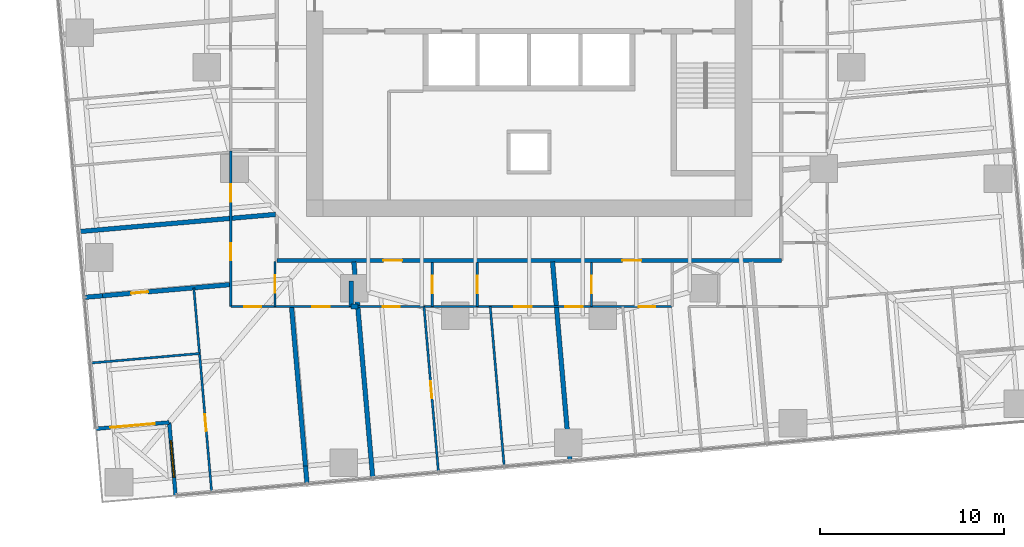
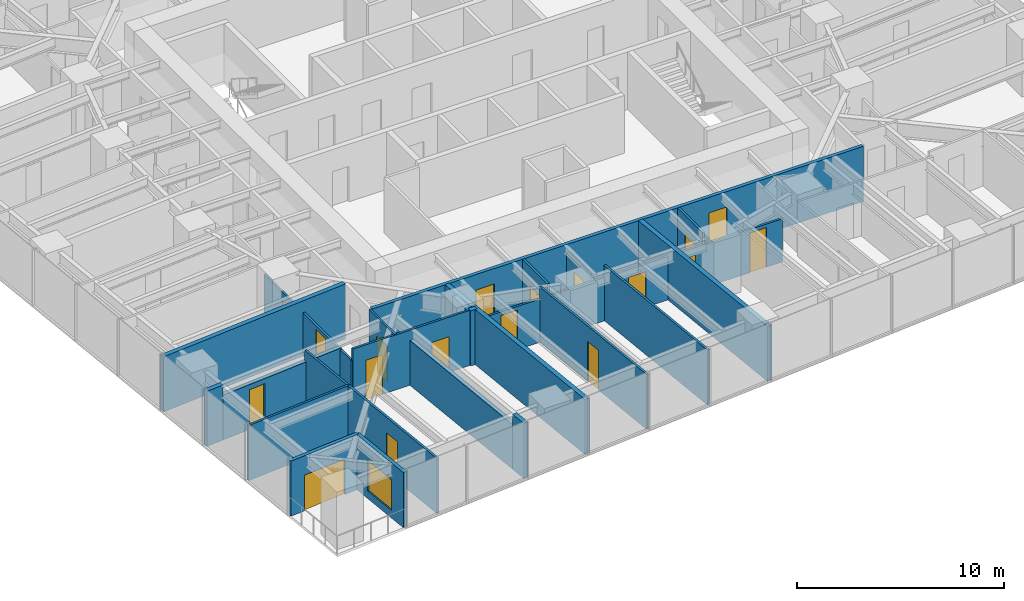
# One storey, part 8 of 14: 23 walls, 18 doors, 1 window, 19 openings.
"""IFC4 building model written with IfcOpenShell, lengths in metres."""

from ifc_helpers import new_model, si_unit, direction, frame, frame_2d, origin, place, context, subcontext, project, spatial, rectangle, extrude, material, layer, layer_set, type_object, element, fill, save


model = new_model("IFC4")

# Units and contexts
model_context = context("Model", 3, precision=1e-05, world=origin(), true_north=direction((0.0, 1.0)))
body_context = subcontext(model_context, "Body", "Model", "MODEL_VIEW")
ifc_project = project(units=[si_unit("LENGTHUNIT", "METRE"), si_unit("AREAUNIT", "SQUARE_METRE"), si_unit("VOLUMEUNIT", "CUBIC_METRE"), si_unit("PLANEANGLEUNIT", "RADIAN"), si_unit("MASSUNIT", "GRAM", prefix="KILO")], contexts=[model_context])

# Site, building, storey
site_placement = place(None, origin())
site = spatial("IfcSite", under=ifc_project, at=site_placement, CompositionType="ELEMENT")
building_placement = place(site_placement, origin())
building = spatial("IfcBuilding", under=site, at=building_placement, Name="Torsade Residences", CompositionType="ELEMENT")
storey_placement = place(building_placement, frame((0.0, 0.0, 60.800048828125)))
storey = spatial("IfcBuildingStorey", under=building, at=storey_placement, Name="L16", CompositionType="ELEMENT", Elevation=60.800048828125)

# Wall, openings, doors
ifc_material_1 = material(Name="Plasterboard on steel stud", Category="steel")
ifc_layer_1 = layer(ifc_material_1, 0.199951171875)
ifc_layer_set_1 = layer_set([ifc_layer_1], Name="Plasterboard on steel stud")
wall_type_1 = type_object("IfcWallType", Name="CORRIDOR WALL 200", PredefinedType="PARTITIONING", material=ifc_layer_set_1)
wall_1_placement = place(storey_placement, frame((26.300048828125, 15.5, 0.0), z_axis=(0.0, 0.0, 1.0), x_axis=(1.0, 0.0, 0.0)))
wall_1 = element("IfcWall", 1, at=wall_1_placement, inside=storey, type_object=wall_type_1, Name="Corridor wall L16", PredefinedType="PARTITIONING", context=body_context, shape_type="SweptSolid", body=[
    extrude(rectangle(XDim=27.39990234375, YDim=0.199951171875, at=frame_2d((13.699951171875, 0.0))), origin(), (0.0, 0.0, 1.0), 3.25),
])
opening_1_placement = place(wall_1_placement, frame((18.775634765625, 0.0, 0.0)))
opening_1 = element("IfcOpeningElement", 2, at=opening_1_placement, cuts=wall_1, Name="Opening D01", PredefinedType="OPENING", context=body_context, shape_type="SweptSolid", body=[
    extrude(rectangle(XDim=1.02001953125, YDim=2.340087890625, at=frame_2d((0.510009765625, 1.169921875))), frame((0.0, 0.10986328125, 0.0), z_axis=(0.0, -1.0, 0.0), x_axis=(1.0, 0.0, 0.0)), (0.0, 0.0, 1.0), 0.219970703125),
])
opening_2_placement = place(wall_1_placement, frame((5.79296875, 0.0, 0.0)))
opening_2 = element("IfcOpeningElement", 3, at=opening_2_placement, cuts=wall_1, Name="Opening D01", PredefinedType="OPENING", context=body_context, shape_type="SweptSolid", body=[
    extrude(rectangle(XDim=1.02001953125, YDim=2.340087890625, at=frame_2d((0.510009765625, 1.169921875))), frame((0.0, 0.10986328125, 0.0), z_axis=(0.0, -1.0, 0.0), x_axis=(1.0, 0.0, 0.0)), (0.0, 0.0, 1.0), 0.219970703125),
])
ifc_material_2 = material(Name="Solid-core timber fire door", Category="wood")
door_type_1 = type_object("IfcDoorType", Name="APARTMENT ENTRY DOOR 1020x2340", OperationType="NOTDEFINED", PredefinedType="DOOR", material=ifc_material_2)
door_1_placement = place(opening_1_placement, origin())
door_1 = element("IfcDoor", 4, at=door_1_placement, inside=storey, type_object=door_type_1, Name="Door Residential corridor to Kitchen and dining", OperationType="SINGLE_SWING_RIGHT", OverallHeight=2.340087890625, OverallWidth=1.02001953125, PredefinedType="DOOR", context=body_context, shape_type="SweptSolid", body=[
    extrude(rectangle(XDim=1.02001953125, YDim=2.340087890625, at=frame_2d((0.510009765625, 1.169921875))), frame((0.0, 0.02490234375, 0.0), z_axis=(0.0, -1.0, 0.0), x_axis=(1.0, 0.0, 0.0)), (0.0, 0.0, 1.0), 0.050048828125),
])
fill(opening_1, door_1)
door_2_placement = place(opening_2_placement, origin())
door_2 = element("IfcDoor", 5, at=door_2_placement, inside=storey, type_object=door_type_1, Name="Door Residential corridor to Kitchen and dining", OperationType="SINGLE_SWING_LEFT", OverallHeight=2.340087890625, OverallWidth=1.02001953125, PredefinedType="DOOR", context=body_context, shape_type="SweptSolid", body=[
    extrude(rectangle(XDim=1.02001953125, YDim=2.340087890625, at=frame_2d((0.510009765625, 1.169921875))), frame((0.0, 0.02490234375, 0.0), z_axis=(0.0, -1.0, 0.0), x_axis=(1.0, 0.0, 0.0)), (0.0, 0.0, 1.0), 0.050048828125),
])
fill(opening_2, door_2)

ifc_material_3 = material(Name="Plasterboard on steel stud", Category="steel")
ifc_layer_2 = layer(ifc_material_3, 0.1201171875)
ifc_layer_set_2 = layer_set([ifc_layer_2], Name="Plasterboard on steel stud")
wall_type_2 = type_object("IfcWallType", Name="PARTITION 120", PredefinedType="PARTITIONING", material=ifc_layer_set_2)
wall_2_placement = place(storey_placement, frame((23.800048828125, 13.0, 0.0), z_axis=(0.0, 0.0, 1.0), x_axis=(0.0, 1.0, 0.0)))
wall_2 = element("IfcWall", 6, at=wall_2_placement, inside=storey, type_object=wall_type_2, Name="Partition L16", PredefinedType="PARTITIONING", context=body_context, shape_type="SweptSolid", body=[
    extrude(rectangle(XDim=8.438720703125, YDim=0.1201171875, at=frame_2d((4.21923828125, 0.0))), origin(), (0.0, 0.0, 1.0), 2.550048828125),
])
opening_3_placement = place(wall_2_placement, frame((2.508056640625, 0.0, 0.0)))
opening_3 = element("IfcOpeningElement", 7, at=opening_3_placement, cuts=wall_2, Name="Opening D02", PredefinedType="OPENING", context=body_context, shape_type="SweptSolid", body=[
    extrude(rectangle(XDim=0.919921875, YDim=2.340087890625, at=frame_2d((0.4599609375, 1.169921875))), frame((0.0, 0.070068359375, 0.0), z_axis=(0.0, -1.0, 0.0), x_axis=(1.0, 0.0, 0.0)), (0.0, 0.0, 1.0), 0.14013671875),
])
opening_4_placement = place(wall_2_placement, frame((5.685302734375, 0.0, 0.0)))
opening_4 = element("IfcOpeningElement", 8, at=opening_4_placement, cuts=wall_2, Name="Opening D05", PredefinedType="OPENING", context=body_context, shape_type="SweptSolid", body=[
    extrude(rectangle(XDim=0.9599609375, YDim=2.10009765625, at=frame_2d((0.47998046875, 1.050048828125))), frame((0.0, 0.070068359375, 0.0), z_axis=(0.0, -1.0, 0.0), x_axis=(1.0, 0.0, 0.0)), (0.0, 0.0, 1.0), 0.14013671875),
])
ifc_material_4 = material(Name="Hollow-core timber door in a steel cavity frame", Category="steel")
door_type_2 = type_object("IfcDoorType", Name="BATHROOM CAVITY SLIDING DOOR 960", OperationType="SLIDING_TO_LEFT", PredefinedType="DOOR", material=ifc_material_4)
door_3_placement = place(opening_4_placement, origin())
door_3 = element("IfcDoor", 9, at=door_3_placement, inside=storey, type_object=door_type_2, Name="Door Bathroom to Bedroom 2", OperationType="SLIDING_TO_LEFT", OverallHeight=2.10009765625, OverallWidth=0.9599609375, PredefinedType="DOOR", context=body_context, shape_type="SweptSolid", body=[
    extrude(rectangle(XDim=0.9599609375, YDim=2.10009765625, at=frame_2d((0.47998046875, 1.050048828125))), frame((0.0, 0.02490234375, 0.0), z_axis=(0.0, -1.0, 0.0), x_axis=(1.0, 0.0, 0.0)), (0.0, 0.0, 1.0), 0.050048828125),
])
fill(opening_4, door_3)
ifc_material_5 = material(Name="Hollow-core timber door", Category="wood")
door_type_3 = type_object("IfcDoorType", Name="INTERNAL DOOR 920x2340", OperationType="NOTDEFINED", PredefinedType="DOOR", material=ifc_material_5)
door_4_placement = place(opening_3_placement, origin())
door_4 = element("IfcDoor", 10, at=door_4_placement, inside=storey, type_object=door_type_3, Name="Door Kitchen and dining to Study", OperationType="SINGLE_SWING_LEFT", OverallHeight=2.340087890625, OverallWidth=0.919921875, PredefinedType="DOOR", context=body_context, shape_type="SweptSolid", body=[
    extrude(rectangle(XDim=0.919921875, YDim=2.340087890625, at=frame_2d((0.4599609375, 1.169921875))), frame((0.0, 0.02490234375, 0.0), z_axis=(0.0, -1.0, 0.0), x_axis=(1.0, 0.0, 0.0)), (0.0, 0.0, 1.0), 0.050048828125),
])
fill(opening_3, door_4)

# Wall, opening, door
wall_3_placement = place(storey_placement, frame((26.199951171875, 15.449951171875, 0.0), z_axis=(0.0, 0.0, 1.0), x_axis=(0.0, -1.0, 0.0)))
wall_3 = element("IfcWall", 11, at=wall_3_placement, inside=storey, type_object=wall_type_2, Name="Partition L16", PredefinedType="PARTITIONING", context=body_context, shape_type="SweptSolid", body=[
    extrude(rectangle(XDim=2.449951171875, YDim=0.1201171875, at=frame_2d((1.22509765625, 0.0))), origin(), (0.0, 0.0, 1.0), 3.25),
])
opening_5_placement = place(wall_3_placement, frame((0.7451171875, 0.0, 0.0)))
opening_5 = element("IfcOpeningElement", 12, at=opening_5_placement, cuts=wall_3, Name="Opening D05", PredefinedType="OPENING", context=body_context, shape_type="SweptSolid", body=[
    extrude(rectangle(XDim=0.9599609375, YDim=2.10009765625, at=frame_2d((0.47998046875, 1.050048828125))), frame((0.0, 0.070068359375, 0.0), z_axis=(0.0, -1.0, 0.0), x_axis=(1.0, 0.0, 0.0)), (0.0, 0.0, 1.0), 0.14013671875),
])
door_5_placement = place(opening_5_placement, origin())
door_5 = element("IfcDoor", 13, at=door_5_placement, inside=storey, type_object=door_type_2, Name="Door Kitchen and dining to Bathroom", OperationType="SLIDING_TO_LEFT", OverallHeight=2.10009765625, OverallWidth=0.9599609375, PredefinedType="DOOR", context=body_context, shape_type="SweptSolid", body=[
    extrude(rectangle(XDim=0.9599609375, YDim=2.10009765625, at=frame_2d((0.47998046875, 1.050048828125))), frame((0.0, 0.02490234375, 0.0), z_axis=(0.0, -1.0, 0.0), x_axis=(1.0, 0.0, 0.0)), (0.0, 0.0, 1.0), 0.050048828125),
])
fill(opening_5, door_5)

# Wall, openings, doors
wall_4_placement = place(storey_placement, frame((30.333251953125, 13.0, 0.0), z_axis=(0.0, 0.0, 1.0), x_axis=(-1.0, 0.0, 0.0)))
wall_4 = element("IfcWall", 14, at=wall_4_placement, inside=storey, type_object=wall_type_2, Name="Partition L16", PredefinedType="PARTITIONING", context=body_context, shape_type="SweptSolid", body=[
    extrude(rectangle(XDim=6.533203125, YDim=0.1201171875, at=frame_2d((3.2666015625, 0.0))), origin(), (0.0, 0.0, 1.0), 3.25),
])
opening_6_placement = place(wall_4_placement, frame((4.873291015625, 0.0, 0.0)))
opening_6 = element("IfcOpeningElement", 15, at=opening_6_placement, cuts=wall_4, Name="Opening D02", PredefinedType="OPENING", context=body_context, shape_type="SweptSolid", body=[
    extrude(rectangle(XDim=0.919921875, YDim=2.340087890625, at=frame_2d((0.4599609375, 1.169921875))), frame((0.0, 0.070068359375, 0.0), z_axis=(0.0, -1.0, 0.0), x_axis=(1.0, 0.0, 0.0)), (0.0, 0.0, 1.0), 0.14013671875),
])
opening_7_placement = place(wall_4_placement, frame((1.162109375, 0.0, 0.0)))
opening_7 = element("IfcOpeningElement", 16, at=opening_7_placement, cuts=wall_4, Name="Opening D05", PredefinedType="OPENING", context=body_context, shape_type="SweptSolid", body=[
    extrude(rectangle(XDim=0.9599609375, YDim=2.10009765625, at=frame_2d((0.47998046875, 1.050048828125))), frame((0.0, 0.070068359375, 0.0), z_axis=(0.0, -1.0, 0.0), x_axis=(1.0, 0.0, 0.0)), (0.0, 0.0, 1.0), 0.14013671875),
])
door_6_placement = place(opening_7_placement, origin())
door_6 = element("IfcDoor", 17, at=door_6_placement, inside=storey, type_object=door_type_2, Name="Door Bathroom to Bedroom 1", OperationType="SLIDING_TO_LEFT", OverallHeight=2.10009765625, OverallWidth=0.9599609375, PredefinedType="DOOR", context=body_context, shape_type="SweptSolid", body=[
    extrude(rectangle(XDim=0.9599609375, YDim=2.10009765625, at=frame_2d((0.47998046875, 1.050048828125))), frame((0.0, 0.02490234375, 0.0), z_axis=(0.0, -1.0, 0.0), x_axis=(1.0, 0.0, 0.0)), (0.0, 0.0, 1.0), 0.050048828125),
])
fill(opening_7, door_6)
door_7_placement = place(opening_6_placement, origin())
door_7 = element("IfcDoor", 18, at=door_7_placement, inside=storey, type_object=door_type_3, Name="Door Kitchen and dining to Living room", OperationType="SINGLE_SWING_LEFT", OverallHeight=2.340087890625, OverallWidth=0.919921875, PredefinedType="DOOR", context=body_context, shape_type="SweptSolid", body=[
    extrude(rectangle(XDim=0.919921875, YDim=2.340087890625, at=frame_2d((0.4599609375, 1.169921875))), frame((0.0, 0.02490234375, 0.0), z_axis=(0.0, -1.0, 0.0), x_axis=(1.0, 0.0, 0.0)), (0.0, 0.0, 1.0), 0.050048828125),
])
fill(opening_6, door_7)

# Wall, opening, door
wall_5_placement = place(storey_placement, frame((22.75927734375, 2.934326171875, 0.0), z_axis=(0.0, 0.0, 1.0), x_axis=(-0.087130477128, 0.996196908224, 0.0)))
wall_5 = element("IfcWall", 19, at=wall_5_placement, inside=storey, type_object=wall_type_2, Name="Partition L16", PredefinedType="PARTITIONING", context=body_context, shape_type="SweptSolid", body=[
    extrude(rectangle(XDim=11.126708984375, YDim=0.1201171875, at=frame_2d((5.5634765625, 0.0))), origin(), (0.0, 0.0, 1.0), 3.25),
])
opening_8_placement = place(wall_5_placement, frame((3.316650390625, 0.0, 0.0)))
opening_8 = element("IfcOpeningElement", 20, at=opening_8_placement, cuts=wall_5, Name="Opening D02", PredefinedType="OPENING", context=body_context, shape_type="SweptSolid", body=[
    extrude(rectangle(XDim=0.919921875, YDim=2.340087890625, at=frame_2d((0.4599609375, 1.169921875))), frame((0.0, 0.070068359375, 0.0), z_axis=(0.0, -1.0, 0.0), x_axis=(1.0, 0.0, 0.0)), (0.0, 0.0, 1.0), 0.14013671875),
])
door_8_placement = place(opening_8_placement, origin())
door_8 = element("IfcDoor", 21, at=door_8_placement, inside=storey, type_object=door_type_3, Name="Door Living room to Bedroom 2", OperationType="SINGLE_SWING_RIGHT", OverallHeight=2.340087890625, OverallWidth=0.919921875, PredefinedType="DOOR", context=body_context, shape_type="SweptSolid", body=[
    extrude(rectangle(XDim=0.919921875, YDim=2.340087890625, at=frame_2d((0.4599609375, 1.169921875))), frame((0.0, 0.02490234375, 0.0), z_axis=(0.0, -1.0, 0.0), x_axis=(1.0, 0.0, 0.0)), (0.0, 0.0, 1.0), 0.050048828125),
])
fill(opening_8, door_8)

# Wall
wall_6_placement = place(storey_placement, frame((16.198486328125, 9.9326171875, 0.0), z_axis=(0.0, 0.0, 1.0), x_axis=(0.996196712973, 0.08713270948, 0.0)))
element("IfcWall", 22, at=wall_6_placement, inside=storey, type_object=wall_type_2, Name="Partition L16", PredefinedType="PARTITIONING", context=body_context, shape_type="SweptSolid", body=[
    extrude(rectangle(XDim=5.926025390625, YDim=0.1201171875, at=frame_2d((2.962890625, 0.0))), origin(), (0.0, 0.0, 1.0), 3.25),
])

# Wall, opening, door
wall_7_placement = place(storey_placement, frame((34.738037109375, 15.39990234375, 0.0), z_axis=(0.0, 0.0, 1.0), x_axis=(0.0, -1.0, 0.0)))
wall_7 = element("IfcWall", 23, at=wall_7_placement, inside=storey, type_object=wall_type_2, Name="Partition L16", PredefinedType="PARTITIONING", context=body_context, shape_type="SweptSolid", body=[
    extrude(rectangle(XDim=2.39990234375, YDim=0.1201171875, at=frame_2d((1.199951171875, 0.0))), origin(), (0.0, 0.0, 1.0), 3.25),
])
opening_9_placement = place(wall_7_placement, frame((0.719970703125, 0.0, 0.0)))
opening_9 = element("IfcOpeningElement", 24, at=opening_9_placement, cuts=wall_7, Name="Opening D05", PredefinedType="OPENING", context=body_context, shape_type="SweptSolid", body=[
    extrude(rectangle(XDim=0.9599609375, YDim=2.10009765625, at=frame_2d((0.47998046875, 1.050048828125))), frame((0.0, 0.070068359375, 0.0), z_axis=(0.0, -1.0, 0.0), x_axis=(1.0, 0.0, 0.0)), (0.0, 0.0, 1.0), 0.14013671875),
])
door_9_placement = place(opening_9_placement, origin())
door_9 = element("IfcDoor", 25, at=door_9_placement, inside=storey, type_object=door_type_2, Name="Door Kitchen and dining to Ensuite", OperationType="SLIDING_TO_LEFT", OverallHeight=2.10009765625, OverallWidth=0.9599609375, PredefinedType="DOOR", context=body_context, shape_type="SweptSolid", body=[
    extrude(rectangle(XDim=0.9599609375, YDim=2.10009765625, at=frame_2d((0.47998046875, 1.050048828125))), frame((0.0, 0.02490234375, 0.0), z_axis=(0.0, -1.0, 0.0), x_axis=(1.0, 0.0, 0.0)), (0.0, 0.0, 1.0), 0.050048828125),
])
fill(opening_9, door_9)

# Wall, openings, doors
wall_8_placement = place(storey_placement, frame((47.7783203125, 13.0, 0.0), z_axis=(0.0, 0.0, 1.0), x_axis=(-1.0, 0.0, 0.0)))
wall_8 = element("IfcWall", 26, at=wall_8_placement, inside=storey, type_object=wall_type_2, Name="Partition L16", PredefinedType="PARTITIONING", context=body_context, shape_type="SweptSolid", body=[
    extrude(rectangle(XDim=17.08203125, YDim=0.1201171875, at=frame_2d((8.541015625, 0.0))), origin(), (0.0, 0.0, 1.0), 2.550048828125),
])
opening_10_placement = place(wall_8_placement, frame((0.912109375, 0.0, 0.0)))
opening_10 = element("IfcOpeningElement", 27, at=opening_10_placement, cuts=wall_8, Name="Opening D02", PredefinedType="OPENING", context=body_context, shape_type="SweptSolid", body=[
    extrude(rectangle(XDim=0.919921875, YDim=2.340087890625, at=frame_2d((0.4599609375, 1.169921875))), frame((0.0, 0.070068359375, 0.0), z_axis=(0.0, -1.0, 0.0), x_axis=(1.0, 0.0, 0.0)), (0.0, 0.0, 1.0), 0.14013671875),
])
opening_11_placement = place(wall_8_placement, frame((14.79833984375, 0.0, 0.0)))
opening_11 = element("IfcOpeningElement", 28, at=opening_11_placement, cuts=wall_8, Name="Opening D02", PredefinedType="OPENING", context=body_context, shape_type="SweptSolid", body=[
    extrude(rectangle(XDim=0.919921875, YDim=2.340087890625, at=frame_2d((0.4599609375, 1.169921875))), frame((0.0, 0.070068359375, 0.0), z_axis=(0.0, -1.0, 0.0), x_axis=(1.0, 0.0, 0.0)), (0.0, 0.0, 1.0), 0.14013671875),
])
opening_12_placement = place(wall_8_placement, frame((4.85791015625, 0.0, 0.0)))
opening_12 = element("IfcOpeningElement", 29, at=opening_12_placement, cuts=wall_8, Name="Opening D05", PredefinedType="OPENING", context=body_context, shape_type="SweptSolid", body=[
    extrude(rectangle(XDim=0.9599609375, YDim=2.10009765625, at=frame_2d((0.47998046875, 1.050048828125))), frame((0.0, 0.070068359375, 0.0), z_axis=(0.0, -1.0, 0.0), x_axis=(1.0, 0.0, 0.0)), (0.0, 0.0, 1.0), 0.14013671875),
])
opening_13_placement = place(wall_8_placement, frame((7.634521484375, 0.0, 0.0)))
opening_13 = element("IfcOpeningElement", 30, at=opening_13_placement, cuts=wall_8, Name="Opening D05", PredefinedType="OPENING", context=body_context, shape_type="SweptSolid", body=[
    extrude(rectangle(XDim=0.9599609375, YDim=2.10009765625, at=frame_2d((0.47998046875, 1.050048828125))), frame((0.0, 0.070068359375, 0.0), z_axis=(0.0, -1.0, 0.0), x_axis=(1.0, 0.0, 0.0)), (0.0, 0.0, 1.0), 0.14013671875),
])
door_10_placement = place(opening_12_placement, origin())
door_10 = element("IfcDoor", 31, at=door_10_placement, inside=storey, type_object=door_type_2, Name="Door Ensuite to Living room", OperationType="SLIDING_TO_LEFT", OverallHeight=2.10009765625, OverallWidth=0.9599609375, PredefinedType="DOOR", context=body_context, shape_type="SweptSolid", body=[
    extrude(rectangle(XDim=0.9599609375, YDim=2.10009765625, at=frame_2d((0.47998046875, 1.050048828125))), frame((0.0, 0.02490234375, 0.0), z_axis=(0.0, -1.0, 0.0), x_axis=(1.0, 0.0, 0.0)), (0.0, 0.0, 1.0), 0.050048828125),
])
fill(opening_12, door_10)
door_11_placement = place(opening_13_placement, origin())
door_11 = element("IfcDoor", 32, at=door_11_placement, inside=storey, type_object=door_type_2, Name="Door Bathroom to Bedroom 2", OperationType="SLIDING_TO_LEFT", OverallHeight=2.10009765625, OverallWidth=0.9599609375, PredefinedType="DOOR", context=body_context, shape_type="SweptSolid", body=[
    extrude(rectangle(XDim=0.9599609375, YDim=2.10009765625, at=frame_2d((0.47998046875, 1.050048828125))), frame((0.0, 0.02490234375, 0.0), z_axis=(0.0, -1.0, 0.0), x_axis=(1.0, 0.0, 0.0)), (0.0, 0.0, 1.0), 0.050048828125),
])
fill(opening_13, door_11)
door_12_placement = place(opening_10_placement, origin())
door_12 = element("IfcDoor", 33, at=door_12_placement, inside=storey, type_object=door_type_3, Name="Door Kitchen and dining to Bedroom 1", OperationType="SINGLE_SWING_RIGHT", OverallHeight=2.340087890625, OverallWidth=0.919921875, PredefinedType="DOOR", context=body_context, shape_type="SweptSolid", body=[
    extrude(rectangle(XDim=0.919921875, YDim=2.340087890625, at=frame_2d((0.4599609375, 1.169921875))), frame((0.0, 0.02490234375, 0.0), z_axis=(0.0, -1.0, 0.0), x_axis=(1.0, 0.0, 0.0)), (0.0, 0.0, 1.0), 0.050048828125),
])
fill(opening_10, door_12)
door_13_placement = place(opening_11_placement, origin())
door_13 = element("IfcDoor", 34, at=door_13_placement, inside=storey, type_object=door_type_3, Name="Door Kitchen and dining to Living room", OperationType="SINGLE_SWING_LEFT", OverallHeight=2.340087890625, OverallWidth=0.919921875, PredefinedType="DOOR", context=body_context, shape_type="SweptSolid", body=[
    extrude(rectangle(XDim=0.919921875, YDim=2.340087890625, at=frame_2d((0.4599609375, 1.169921875))), frame((0.0, 0.02490234375, 0.0), z_axis=(0.0, -1.0, 0.0), x_axis=(1.0, 0.0, 0.0)), (0.0, 0.0, 1.0), 0.050048828125),
])
fill(opening_11, door_13)

# Wall, opening, door
wall_9_placement = place(storey_placement, frame((37.18505859375, 13.0, 0.0), z_axis=(0.0, 0.0, 1.0), x_axis=(0.0, 1.0, 0.0)))
wall_9 = element("IfcWall", 35, at=wall_9_placement, inside=storey, type_object=wall_type_2, Name="Partition L16", PredefinedType="PARTITIONING", context=body_context, shape_type="SweptSolid", body=[
    extrude(rectangle(XDim=2.39990234375, YDim=0.1201171875, at=frame_2d((1.199951171875, 0.0))), origin(), (0.0, 0.0, 1.0), 2.7958984375),
])
opening_14_placement = place(wall_9_placement, frame((0.719970703125, 0.0, 0.0)))
opening_14 = element("IfcOpeningElement", 36, at=opening_14_placement, cuts=wall_9, Name="Opening D05", PredefinedType="OPENING", context=body_context, shape_type="SweptSolid", body=[
    extrude(rectangle(XDim=0.9599609375, YDim=2.10009765625, at=frame_2d((0.47998046875, 1.050048828125))), frame((0.0, 0.070068359375, 0.0), z_axis=(0.0, -1.0, 0.0), x_axis=(1.0, 0.0, 0.0)), (0.0, 0.0, 1.0), 0.14013671875),
])
door_14_placement = place(opening_14_placement, origin())
door_14 = element("IfcDoor", 37, at=door_14_placement, inside=storey, type_object=door_type_2, Name="Door Ensuite to Bathroom", OperationType="SLIDING_TO_LEFT", OverallHeight=2.10009765625, OverallWidth=0.9599609375, PredefinedType="DOOR", context=body_context, shape_type="SweptSolid", body=[
    extrude(rectangle(XDim=0.9599609375, YDim=2.10009765625, at=frame_2d((0.47998046875, 1.050048828125))), frame((0.0, 0.02490234375, 0.0), z_axis=(0.0, -1.0, 0.0), x_axis=(1.0, 0.0, 0.0)), (0.0, 0.0, 1.0), 0.050048828125),
])
fill(opening_14, door_14)

wall_10_placement = place(storey_placement, frame((34.293212890625, 13.0, 0.0), z_axis=(0.0, 0.0, 1.0), x_axis=(0.087160907995, -0.996194246178, 0.0)))
wall_10 = element("IfcWall", 38, at=wall_10_placement, inside=storey, type_object=wall_type_2, Name="Partition L16", PredefinedType="PARTITIONING", context=body_context, shape_type="SweptSolid", body=[
    extrude(rectangle(XDim=9.022216796875, YDim=0.1201171875, at=frame_2d((4.51123046875, 0.0))), origin(), (0.0, 0.0, 1.0), 3.25),
])
opening_15_placement = place(wall_10_placement, frame((4.071044921875, 0.0, 0.0)))
opening_15 = element("IfcOpeningElement", 39, at=opening_15_placement, cuts=wall_10, Name="Opening D02", PredefinedType="OPENING", context=body_context, shape_type="SweptSolid", body=[
    extrude(rectangle(XDim=0.919921875, YDim=2.340087890625, at=frame_2d((0.4599609375, 1.169921875))), frame((0.0, 0.070068359375, 0.0), z_axis=(0.0, -1.0, 0.0), x_axis=(1.0, 0.0, 0.0)), (0.0, 0.0, 1.0), 0.14013671875),
])
door_15_placement = place(opening_15_placement, origin())
door_15 = element("IfcDoor", 40, at=door_15_placement, inside=storey, type_object=door_type_3, Name="Door Living room to Bedroom 1", OperationType="SINGLE_SWING_LEFT", OverallHeight=2.340087890625, OverallWidth=0.919921875, PredefinedType="DOOR", context=body_context, shape_type="SweptSolid", body=[
    extrude(rectangle(XDim=0.919921875, YDim=2.340087890625, at=frame_2d((0.4599609375, 1.169921875))), frame((0.0, 0.02490234375, 0.0), z_axis=(0.0, -1.0, 0.0), x_axis=(1.0, 0.0, 0.0)), (0.0, 0.0, 1.0), 0.050048828125),
])
fill(opening_15, door_15)

# Wall
wall_11_placement = place(storey_placement, frame((37.890380859375, 13.0, 0.0), z_axis=(0.0, 0.0, 1.0), x_axis=(0.087158256162, -0.996194478193, 0.0)))
element("IfcWall", 41, at=wall_11_placement, inside=storey, type_object=wall_type_2, Name="Partition L16", PredefinedType="PARTITIONING", context=body_context, shape_type="SweptSolid", body=[
    extrude(rectangle(XDim=8.708740234375, YDim=0.1201171875, at=frame_2d((4.3544921875, 0.0))), origin(), (0.0, 0.0, 1.0), 3.25),
])

# Wall, opening, door
wall_12_placement = place(storey_placement, frame((43.39306640625, 13.0, 0.0), z_axis=(0.0, 0.0, 1.0), x_axis=(0.0, 1.0, 0.0)))
wall_12 = element("IfcWall", 42, at=wall_12_placement, inside=storey, type_object=wall_type_2, Name="Partition L16", PredefinedType="PARTITIONING", context=body_context, shape_type="SweptSolid", body=[
    extrude(rectangle(XDim=2.39990234375, YDim=0.1201171875, at=frame_2d((1.199951171875, 0.0))), origin(), (0.0, 0.0, 1.0), 3.25),
])
opening_16_placement = place(wall_12_placement, frame((0.719970703125, 0.0, 0.0)))
opening_16 = element("IfcOpeningElement", 43, at=opening_16_placement, cuts=wall_12, Name="Opening D05", PredefinedType="OPENING", context=body_context, shape_type="SweptSolid", body=[
    extrude(rectangle(XDim=0.9599609375, YDim=2.10009765625, at=frame_2d((0.47998046875, 1.050048828125))), frame((0.0, 0.070068359375, 0.0), z_axis=(0.0, -1.0, 0.0), x_axis=(1.0, 0.0, 0.0)), (0.0, 0.0, 1.0), 0.14013671875),
])
door_16_placement = place(opening_16_placement, origin())
door_16 = element("IfcDoor", 44, at=door_16_placement, inside=storey, type_object=door_type_2, Name="Door Kitchen and dining to Ensuite", OperationType="SLIDING_TO_LEFT", OverallHeight=2.10009765625, OverallWidth=0.9599609375, PredefinedType="DOOR", context=body_context, shape_type="SweptSolid", body=[
    extrude(rectangle(XDim=0.9599609375, YDim=2.10009765625, at=frame_2d((0.47998046875, 1.050048828125))), frame((0.0, 0.02490234375, 0.0), z_axis=(0.0, -1.0, 0.0), x_axis=(1.0, 0.0, 0.0)), (0.0, 0.0, 1.0), 0.050048828125),
])
fill(opening_16, door_16)

# Walls
ifc_material_6 = material(Name="Masonry-lined stud party wall", Category="masonry")
ifc_layer_3 = layer(ifc_material_6, 0.25)
ifc_layer_set_3 = layer_set([ifc_layer_3], Name="Masonry-lined stud party wall")
wall_type_3 = type_object("IfcWallType", Name="PARTY WALL 250", PredefinedType="PARTITIONING", material=ifc_layer_set_3)
wall_13_placement = place(storey_placement, frame((15.533935546875, 17.068359375, 0.0), z_axis=(0.0, 0.0, 1.0), x_axis=(0.996193939644, 0.08716441141, 0.0)))
element("IfcWall", 45, at=wall_13_placement, inside=storey, type_object=wall_type_3, Name="Party wall L16", PredefinedType="PARTITIONING", context=body_context, shape_type="SweptSolid", body=[
    extrude(rectangle(XDim=10.73583984375, YDim=0.25, at=frame_2d((5.367919921875, 0.0))), origin(), (0.0, 0.0, 1.0), 3.25),
])
wall_14_placement = place(storey_placement, frame((42.222412109375, 4.596923828125, 0.0), z_axis=(0.0, 0.0, 1.0), x_axis=(-0.087140211333, 0.996196056792, 0.0)))
element("IfcWall", 46, at=wall_14_placement, inside=storey, type_object=wall_type_3, Name="Party wall L16", PredefinedType="PARTITIONING", context=body_context, shape_type="SweptSolid", body=[
    extrude(rectangle(XDim=10.873291015625, YDim=0.25, at=frame_2d((5.4365234375, 0.0))), origin(), (0.0, 0.0, 1.0), 3.25),
])
wall_15_placement = place(storey_placement, frame((31.513427734375, 3.66015625, 0.0), z_axis=(0.0, 0.0, 1.0), x_axis=(-0.087168232078, 0.996193605338, 0.0)))
element("IfcWall", 47, at=wall_15_placement, inside=storey, type_object=wall_type_3, Name="Party wall L16", PredefinedType="PARTITIONING", context=body_context, shape_type="SweptSolid", body=[
    extrude(rectangle(XDim=11.813720703125, YDim=0.25, at=frame_2d((5.90673828125, 0.0))), origin(), (0.0, 0.0, 1.0), 3.25),
])
wall_16_placement = place(storey_placement, frame((30.333251953125, 14.39599609375, 0.0), z_axis=(0.0, 0.0, 1.0), x_axis=(0.0, -1.0, 0.0)))
element("IfcWall", 48, at=wall_16_placement, inside=storey, type_object=wall_type_3, Name="Party wall L16", PredefinedType="PARTITIONING", context=body_context, shape_type="SweptSolid", body=[
    extrude(rectangle(XDim=1.39599609375, YDim=0.25, at=frame_2d((0.697998046875, 0.0))), origin(), (0.0, 0.0, 1.0), 3.25),
])
wall_17_placement = place(storey_placement, frame((15.88623046875, 13.502197265625, 0.0), z_axis=(0.0, 0.0, 1.0), x_axis=(0.996187918168, 0.087233202944, 0.0)))
element("IfcWall", 49, at=wall_17_placement, inside=storey, type_object=wall_type_3, Name="Party wall L16", PredefinedType="PARTITIONING", context=body_context, shape_type="SweptSolid", body=[
    extrude(rectangle(XDim=0.9599609375, YDim=0.25, at=frame_2d((0.47998046875, 0.0))), origin(), (0.0, 0.0, 1.0), 3.25),
])

# Wall, opening, door
wall_18_placement = place(storey_placement, frame((16.842529296875, 13.5859375, 0.0), z_axis=(0.0, 0.0, 1.0), x_axis=(0.996195462691, 0.087147002895, 0.0)))
wall_18 = element("IfcWall", 50, at=wall_18_placement, inside=storey, type_object=wall_type_3, Name="Party wall L16", PredefinedType="PARTITIONING", context=body_context, shape_type="SweptSolid", body=[
    extrude(rectangle(XDim=6.984130859375, YDim=0.25, at=frame_2d((3.4921875, 0.0))), origin(), (0.0, 0.0, 1.0), 2.637939453125),
])
opening_17_placement = place(wall_18_placement, frame((1.548095703125, 0.0, 0.0)))
opening_17 = element("IfcOpeningElement", 51, at=opening_17_placement, cuts=wall_18, Name="Opening D02", PredefinedType="OPENING", context=body_context, shape_type="SweptSolid", body=[
    extrude(rectangle(XDim=0.919921875, YDim=2.340087890625, at=frame_2d((0.4599609375, 1.169921875))), frame((0.0, 0.135009765625, 0.0), z_axis=(0.0, -1.0, 0.0), x_axis=(1.0, 0.0, 0.0)), (0.0, 0.0, 1.0), 0.27001953125),
])
door_17_placement = place(opening_17_placement, origin())
door_17 = element("IfcDoor", 52, at=door_17_placement, inside=storey, type_object=door_type_3, Name="Door Study to Family room", OperationType="SINGLE_SWING_RIGHT", OverallHeight=2.340087890625, OverallWidth=0.919921875, PredefinedType="DOOR", context=body_context, shape_type="SweptSolid", body=[
    extrude(rectangle(XDim=0.919921875, YDim=2.340087890625, at=frame_2d((0.4599609375, 1.169921875))), frame((0.0, 0.02490234375, 0.0), z_axis=(0.0, -1.0, 0.0), x_axis=(1.0, 0.0, 0.0)), (0.0, 0.0, 1.0), 0.050048828125),
])
fill(opening_17, door_17)

# Walls
wall_19_placement = place(storey_placement, frame((27.09912109375, 13.0, 0.0), z_axis=(0.0, 0.0, 1.0), x_axis=(0.087158236544, -0.99619447991, 0.0)))
element("IfcWall", 53, at=wall_19_placement, inside=storey, type_object=wall_type_3, Name="Party wall L16", PredefinedType="PARTITIONING", context=body_context, shape_type="SweptSolid", body=[
    extrude(rectangle(XDim=8.68896484375, YDim=0.25, at=frame_2d((4.344482421875, 0.0))), origin(), (0.0, 0.0, 1.0), 2.637939453125),
])
wall_20_placement = place(storey_placement, frame((27.8564453125, 4.343994140625, 0.0), z_axis=(0.0, 0.0, 1.0), x_axis=(0.087233202944, -0.996187918168, 0.0)))
element("IfcWall", 54, at=wall_20_placement, inside=storey, type_object=wall_type_3, Name="Party wall L16", PredefinedType="PARTITIONING", context=body_context, shape_type="SweptSolid", body=[
    extrude(rectangle(XDim=0.9599609375, YDim=0.25, at=frame_2d((0.47998046875, 0.0))), origin(), (0.0, 0.0, 1.0), 3.25),
])
wall_21_placement = place(storey_placement, frame((30.333251953125, 13.0, 0.0), z_axis=(0.0, 0.0, 1.0), x_axis=(1.0, 0.0, 0.0)))
element("IfcWall", 55, at=wall_21_placement, inside=storey, type_object=wall_type_3, Name="Party wall L16", PredefinedType="PARTITIONING", context=body_context, shape_type="SweptSolid", body=[
    extrude(rectangle(XDim=0.363037109375, YDim=0.25, at=frame_2d((0.181640625, 0.0))), origin(), (0.0, 0.0, 1.0), 3.25),
])

# Wall, opening, door
ifc_material_7 = material(Name="Stone-faced precast concrete 40 MPa panel", Category="masonry")
ifc_layer_4 = layer(ifc_material_7, 0.199951171875)
ifc_layer_set_4 = layer_set([ifc_layer_4], Name="Stone-faced precast concrete 40 MPa panel")
wall_type_4 = type_object("IfcWallType", Name="TERRACE WALL 200", PredefinedType="SOLIDWALL", material=ifc_layer_set_4)
wall_22_placement = place(storey_placement, frame((16.470947265625, 6.359375, 0.0), z_axis=(0.0, 0.0, 1.0), x_axis=(0.99619418125, 0.087161650072, 0.0)))
wall_22 = element("IfcWall", 56, at=wall_22_placement, inside=storey, type_object=wall_type_4, Name="Terrace wall L16 11", PredefinedType="SOLIDWALL", context=body_context, shape_type="SweptSolid", body=[
    extrude(rectangle(XDim=3.999755859375, YDim=0.199951171875, at=frame_2d((2.0, 0.0))), origin(), (0.0, 0.0, 1.0), 3.25),
])
opening_18_placement = place(wall_22_placement, frame((0.800048828125, 0.0, 0.0)))
opening_18 = element("IfcOpeningElement", 57, at=opening_18_placement, cuts=wall_22, Name="Opening D10A", PredefinedType="OPENING", context=body_context, shape_type="SweptSolid", body=[
    extrude(rectangle(XDim=2.39990234375, YDim=2.10009765625, at=frame_2d((1.199951171875, 1.050048828125))), frame((0.0, 0.10986328125, 0.0), z_axis=(0.0, -1.0, 0.0), x_axis=(1.0, 0.0, 0.0)), (0.0, 0.0, 1.0), 0.219970703125),
])
ifc_material_8 = material(Name="Aluminium-framed glass door", Category="aluminium")
door_type_4 = type_object("IfcDoorType", Name="TERRACE SLIDING DOOR 2400x2100", OperationType="SLIDING_TO_LEFT", PredefinedType="DOOR", material=ifc_material_8)
door_18_placement = place(opening_18_placement, origin())
door_18 = element("IfcDoor", 58, at=door_18_placement, inside=storey, type_object=door_type_4, Name="Terrace door L16 11", OperationType="SLIDING_TO_LEFT", OverallHeight=2.10009765625, OverallWidth=2.39990234375, PredefinedType="DOOR", context=body_context, shape_type="SweptSolid", body=[
    extrude(rectangle(XDim=2.39990234375, YDim=2.10009765625, at=frame_2d((1.199951171875, 1.050048828125))), frame((0.0, 0.02490234375, 0.0), z_axis=(0.0, -1.0, 0.0), x_axis=(1.0, 0.0, 0.0)), (0.0, 0.0, 1.0), 0.050048828125),
])
fill(opening_18, door_18)

# Wall, opening, window
wall_23_placement = place(storey_placement, frame((20.45556640625, 6.7080078125, 0.0), z_axis=(0.0, 0.0, 1.0), x_axis=(0.087156350505, -0.99619464492, 0.0)))
wall_23 = element("IfcWall", 59, at=wall_23_placement, inside=storey, type_object=wall_type_4, Name="Terrace wall L16 12", PredefinedType="SOLIDWALL", context=body_context, shape_type="SweptSolid", body=[
    extrude(rectangle(XDim=4.0, YDim=0.199951171875, at=frame_2d((2.0, 0.0))), origin(), (0.0, 0.0, 1.0), 3.25),
])
opening_19_placement = place(wall_23_placement, frame((1.0, 0.0, 0.449951171875)))
opening_19 = element("IfcOpeningElement", 60, at=opening_19_placement, cuts=wall_23, Name="Opening W1B", PredefinedType="OPENING", context=body_context, shape_type="SweptSolid", body=[
    extrude(rectangle(XDim=2.0, YDim=1.800048828125, at=frame_2d((1.0, 0.89990234375))), frame((0.0, 0.10986328125, 0.0), z_axis=(0.0, -1.0, 0.0), x_axis=(1.0, 0.0, 0.0)), (0.0, 0.0, 1.0), 0.219970703125),
])
ifc_material_9 = material(Name="Aluminium-framed glass window", Category="aluminium")
window_type = type_object("IfcWindowType", Name="TERRACE WINDOW 2000x1800", PartitioningType="SINGLE_PANEL", PredefinedType="WINDOW", material=ifc_material_9)
window_placement = place(opening_19_placement, origin())
window = element("IfcWindow", 61, at=window_placement, inside=storey, type_object=window_type, Name="Terrace window L16 12", OverallHeight=1.800048828125, OverallWidth=2.0, PartitioningType="SINGLE_PANEL", PredefinedType="WINDOW", context=body_context, shape_type="SweptSolid", body=[
    extrude(rectangle(XDim=2.0, YDim=1.800048828125, at=frame_2d((1.0, 0.89990234375))), frame((0.0, 0.030029296875, 0.0), z_axis=(0.0, -1.0, 0.0), x_axis=(1.0, 0.0, 0.0)), (0.0, 0.0, 1.0), 0.06005859375),
])
fill(opening_19, window)

save(model, "model.ifc")
